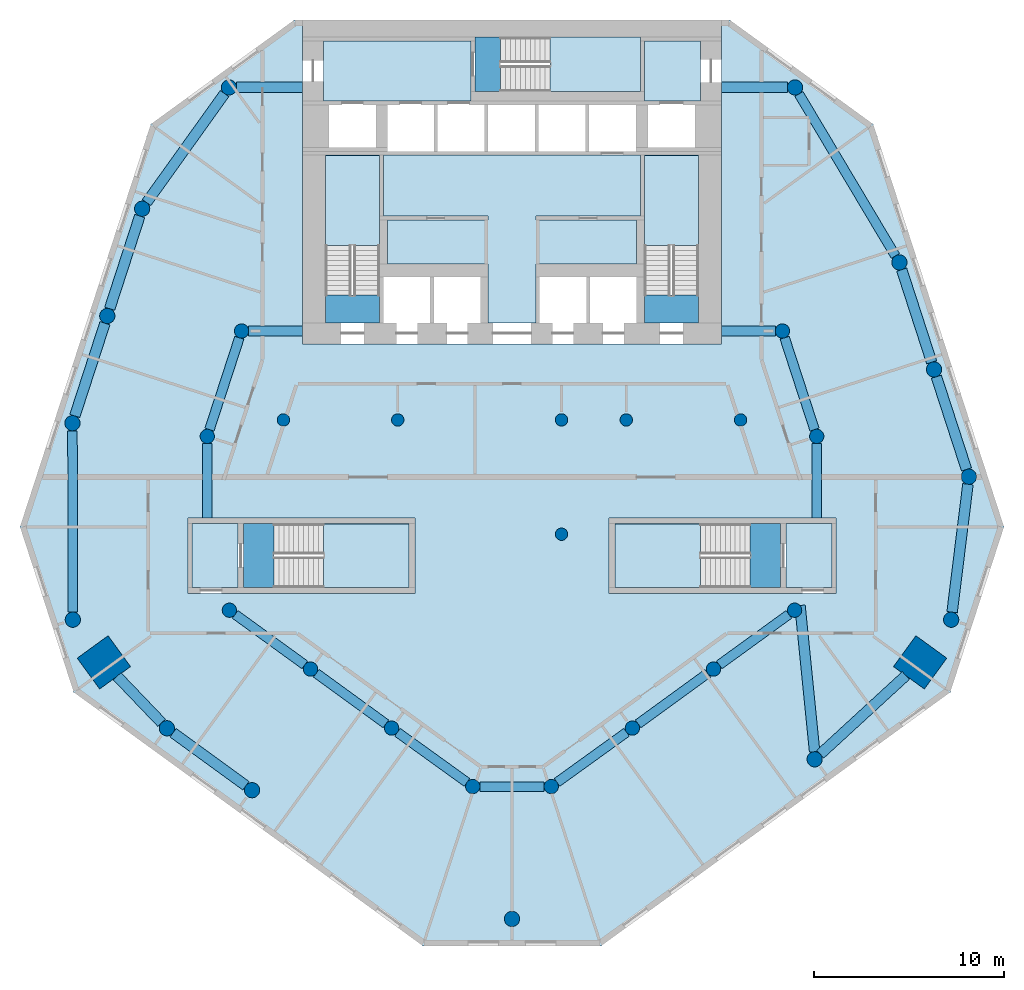
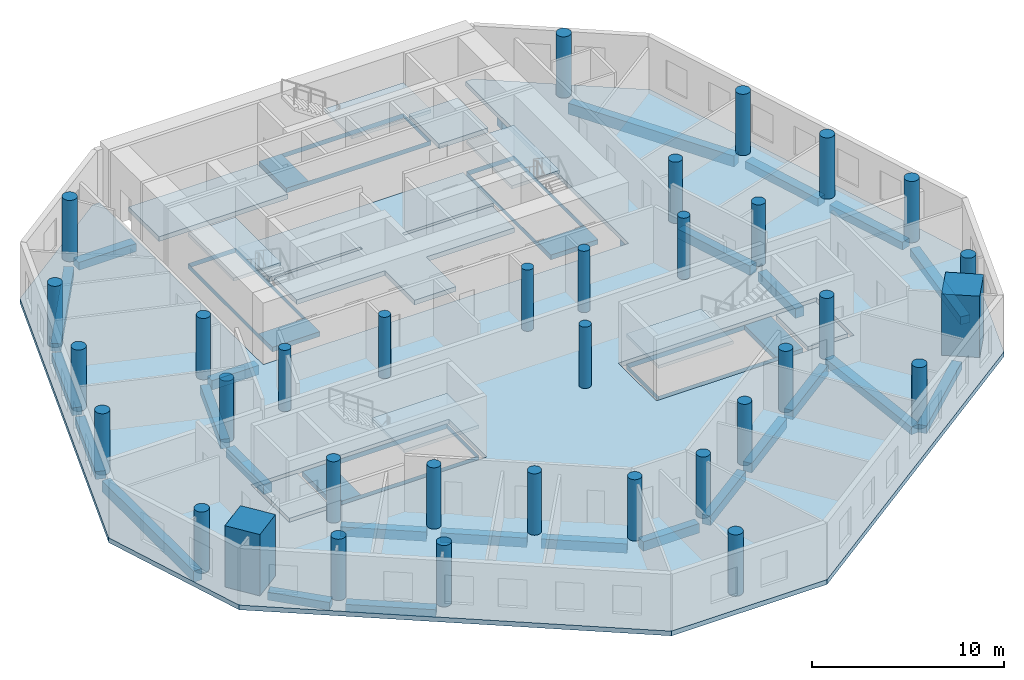
# One storey, part 1 of 9: 34 columns, 27 beams, 16 slabs, 5 elements without a shape of their own.
"""IFC4 building model written with IfcOpenShell, lengths in metres."""

from ifc_helpers import new_model, si_unit, direction, frame, origin, origin_2d, place, context, subcontext, project, spatial, polyline, rectangle, circle, outline, extrude, material, layer, layer_set, material_profile, profile_set, type_object, element, aggregate, save


model = new_model("IFC4")

# Units and contexts
model_context = context("Model", 3, precision=1e-05, world=origin(), true_north=direction((0.0, 1.0)))
body_context = subcontext(model_context, "Body", "Model", "MODEL_VIEW")
ifc_project = project(units=[si_unit("LENGTHUNIT", "METRE"), si_unit("AREAUNIT", "SQUARE_METRE"), si_unit("VOLUMEUNIT", "CUBIC_METRE"), si_unit("PLANEANGLEUNIT", "RADIAN"), si_unit("MASSUNIT", "GRAM", prefix="KILO")], contexts=[model_context])

# Site, building, storey
site_placement = place(None, origin())
site = spatial("IfcSite", under=ifc_project, at=site_placement, CompositionType="ELEMENT")
building_placement = place(site_placement, origin())
building = spatial("IfcBuilding", under=site, at=building_placement, Name="White Candle Pilgrim Tower", CompositionType="ELEMENT")
storey_placement = place(building_placement, frame((0.0, 0.0, 106.39990234375)))
storey = spatial("IfcBuildingStorey", under=building, at=storey_placement, Name="L23", CompositionType="ELEMENT", Elevation=106.39990234375)

# Columns
ifc_material_1 = material(Name="Concrete C80/95", Category="concrete")
ifc_material_profile_1 = material_profile(ifc_material_1, circle(Radius=0.324951171875, at=origin_2d()), Name="RC-COL D650")
ifc_profile_set_1 = profile_set([ifc_material_profile_1], Name="Concrete C80/95")
column_type_1 = type_object("IfcColumnType", Name="Interior column RC-COL D650 C80/95", PredefinedType="COLUMN", material=ifc_profile_set_1)
for number, where, z_axis, x_axis, name in (
    (1, (58.0, 67.0, 0.0), (0.0, 0.0, 1.0), (1.0, 0.0, 0.0), "L23 column I01"),
    (2, (64.0, 67.0, 0.0), (0.0, 0.0, 1.0), (1.0, 0.0, 0.0), "L23 column I02"),
    (3, (72.60009765625, 61.0, 0.0), (0.0, 0.0, 1.0), (1.0, 0.0, 0.0), "L23 column I03"),
    (4, (72.60009765625, 67.0, 0.0), (0.0, 0.0, 1.0), (1.0, 0.0, 0.0), "L23 column I04"),
    (5, (76.0, 67.0, 0.0), (0.0, 0.0, 1.0), (1.0, 0.0, 0.0), "L23 column I05"),
    (6, (82.0, 67.0, 0.0), (0.0, 0.0, 1.0), (1.0, 0.0, 0.0), "L23 column I06"),
):
    element("IfcColumn", number, at=place(storey_placement, frame(where, z_axis=z_axis, x_axis=x_axis)), inside=storey, type_object=column_type_1, Name=name, PredefinedType="COLUMN", context=body_context, shape_type="SweptSolid", body=[
        extrude(circle(Radius=0.324951171875, at=origin_2d()), origin(), (0.0, 0.0, 1.0), 3.900146484375),
    ])
ifc_material_profile_2 = material_profile(ifc_material_1, rectangle(XDim=2.0, YDim=2.0, at=origin_2d()), Name="RC 2000x2000")
ifc_profile_set_2 = profile_set([ifc_material_profile_2], Name="Concrete C80/95")
column_type_2 = type_object("IfcColumnType", Name="Mega column RC 2000x2000 C80/95", PredefinedType="COLUMN", material=ifc_profile_set_2)
for number, where, z_axis, x_axis, name in (
    (7, (48.570068359375, 54.27001953125, 0.0), (0.0, 0.0, 1.0), (-0.809016994375, -0.587785252292, 0.0), "L23 mega column T02"),
    (8, (91.429931640625, 54.27001953125, 0.0), (0.0, 0.0, 1.0), (0.809016994375, -0.587785252292, 0.0), "L23 mega column T07"),
):
    element("IfcColumn", number, at=place(storey_placement, frame(where, z_axis=z_axis, x_axis=x_axis)), inside=storey, type_object=column_type_2, Name=name, PredefinedType="COLUMN", context=body_context, shape_type="SweptSolid", body=[
        extrude(rectangle(XDim=2.0, YDim=2.0, at=origin_2d()), origin(), (0.0, 0.0, 1.0), 3.900146484375),
    ])
ifc_material_profile_3 = material_profile(ifc_material_1, circle(Radius=0.39990234375, at=origin_2d()), Name="RC-COL D800")
ifc_profile_set_3 = profile_set([ifc_material_profile_3], Name="Concrete C80/95")
column_type_3 = type_object("IfcColumnType", Name="Perimeter column RC-COL D800 C80/95", PredefinedType="COLUMN", material=ifc_profile_set_3)
for number, where, z_axis, x_axis, name in (
    (9, (46.93994140625, 56.510009765625, 0.0), (0.0, 0.0, 1.0), (1.0, 0.0, 0.0), "L23 column T01"),
    (10, (51.8798828125, 50.81005859375, 0.0), (0.0, 0.0, 1.0), (1.0, 0.0, 0.0), "L23 column T03"),
    (11, (56.35009765625, 47.56005859375, 0.0), (0.0, 0.0, 1.0), (1.0, 0.0, 0.0), "L23 column T04"),
    (12, (70.0, 40.800048828125, 0.0), (0.0, 0.0, 1.0), (1.0, 0.0, 0.0), "L23 column T05"),
    (13, (85.889892578125, 49.179931640625, 0.0), (0.0, 0.0, 1.0), (1.0, 0.0, 0.0), "L23 column T06"),
    (14, (93.06005859375, 56.510009765625, 0.0), (0.0, 0.0, 1.0), (1.0, 0.0, 0.0), "L23 column T08"),
    (15, (93.989990234375, 64.02001953125, 0.0), (0.0, 0.0, 1.0), (1.0, 0.0, 0.0), "L23 column T09"),
    (16, (92.159912109375, 69.64990234375, 0.0), (0.0, 0.0, 1.0), (1.0, 0.0, 0.0), "L23 column T10"),
    (17, (90.340087890625, 75.27001953125, 0.0), (0.0, 0.0, 1.0), (1.0, 0.0, 0.0), "L23 column T11"),
    (18, (84.860107421875, 84.4599609375, 0.0), (0.0, 0.0, 1.0), (1.0, 0.0, 0.0), "L23 column T12"),
    (19, (55.139892578125, 84.4599609375, 0.0), (0.0, 0.0, 1.0), (1.0, 0.0, 0.0), "L23 column T13"),
    (20, (50.580078125, 78.090087890625, 0.0), (0.0, 0.0, 1.0), (1.0, 0.0, 0.0), "L23 column T14"),
    (21, (48.75, 72.4599609375, 0.0), (0.0, 0.0, 1.0), (1.0, 0.0, 0.0), "L23 column T15"),
    (22, (46.919921875, 66.830078125, 0.0), (0.0, 0.0, 1.0), (1.0, 0.0, 0.0), "L23 column T16"),
):
    element("IfcColumn", number, at=place(storey_placement, frame(where, z_axis=z_axis, x_axis=x_axis)), inside=storey, type_object=column_type_3, Name=name, PredefinedType="COLUMN", context=body_context, shape_type="SweptSolid", body=[
        extrude(circle(Radius=0.39990234375, at=origin_2d()), origin(), (0.0, 0.0, 1.0), 3.900146484375),
    ])
ifc_material_profile_4 = material_profile(ifc_material_1, circle(Radius=0.375, at=origin_2d()), Name="RC-COL D750")
ifc_profile_set_4 = profile_set([ifc_material_profile_4], Name="Concrete C80/95")
column_type_4 = type_object("IfcColumnType", Name="Ring column RC-COL D750 C80/95", PredefinedType="COLUMN", material=ifc_profile_set_4)
for number, where, z_axis, x_axis, name in (
    (23, (55.159912109375, 57.010009765625, 0.0), (0.0, 0.0, 1.0), (1.0, 0.0, 0.0), "L23 column R01"),
    (24, (59.419921875, 53.919921875, 0.0), (0.0, 0.0, 1.0), (1.0, 0.0, 0.0), "L23 column R02"),
    (25, (63.679931640625, 50.820068359375, 0.0), (0.0, 0.0, 1.0), (1.0, 0.0, 0.0), "L23 column R03"),
    (26, (67.93994140625, 47.75, 0.0), (0.0, 0.0, 1.0), (1.0, 0.0, 0.0), "L23 column R04"),
    (27, (72.06005859375, 47.75, 0.0), (0.0, 0.0, 1.0), (1.0, 0.0, 0.0), "L23 column R05"),
    (28, (76.320068359375, 50.820068359375, 0.0), (0.0, 0.0, 1.0), (1.0, 0.0, 0.0), "L23 column R06"),
    (29, (80.580078125, 53.919921875, 0.0), (0.0, 0.0, 1.0), (1.0, 0.0, 0.0), "L23 column R07"),
    (30, (84.840087890625, 57.010009765625, 0.0), (0.0, 0.0, 1.0), (1.0, 0.0, 0.0), "L23 column R08"),
    (31, (86.0, 66.139892578125, 0.0), (0.0, 0.0, 1.0), (1.0, 0.0, 0.0), "L23 column R09"),
    (32, (84.199951171875, 71.669921875, 0.0), (0.0, 0.0, 1.0), (1.0, 0.0, 0.0), "L23 column R10"),
    (33, (55.800048828125, 71.669921875, 0.0), (0.0, 0.0, 1.0), (1.0, 0.0, 0.0), "L23 column R11"),
    (34, (54.0, 66.139892578125, 0.0), (0.0, 0.0, 1.0), (1.0, 0.0, 0.0), "L23 column R12"),
):
    element("IfcColumn", number, at=place(storey_placement, frame(where, z_axis=z_axis, x_axis=x_axis)), inside=storey, type_object=column_type_4, Name=name, PredefinedType="COLUMN", context=body_context, shape_type="SweptSolid", body=[
        extrude(circle(Radius=0.375, at=origin_2d()), origin(), (0.0, 0.0, 1.0), 3.900146484375),
    ])

# Beams
ifc_material_2 = material(Name="Concrete C50/60", Category="concrete")
ifc_material_profile_5 = material_profile(ifc_material_2, rectangle(XDim=0.5, YDim=0.60009765625, at=origin_2d()), Name="RC-BM 500x600")
ifc_profile_set_5 = profile_set([ifc_material_profile_5], Name="Concrete C50/60")
beam_type_1 = type_object("IfcBeamType", Name="Ring beam RC-BM 500x600 C50/60", PredefinedType="BEAM", material=ifc_profile_set_5)
beam_1_placement = place(storey_placement, frame((55.46337890625, 56.789794921875, -0.599853515625), z_axis=(0.809505029053, -0.587112943084, 0.0), x_axis=(0.587112943084, 0.809505029053, 0.0)))
element("IfcBeam", 35, at=beam_1_placement, inside=storey, type_object=beam_type_1, Name="L23 ring beam R01", PredefinedType="BEAM", context=body_context, shape_type="SweptSolid", body=[
    extrude(rectangle(XDim=0.5, YDim=0.60009765625, at=origin_2d()), origin(), (0.0, 0.0, 1.0), 4.512939453125),
])
beam_2_placement = place(storey_placement, frame((59.72314453125, 53.699462890625, -0.599853515625), z_axis=(0.808565500751, -0.588406178583, 0.0), x_axis=(0.588406178583, 0.808565500751, 0.0)))
element("IfcBeam", 36, at=beam_2_placement, inside=storey, type_object=beam_type_1, Name="L23 ring beam R02", PredefinedType="BEAM", context=body_context, shape_type="SweptSolid", body=[
    extrude(rectangle(XDim=0.5, YDim=0.60009765625, at=origin_2d()), origin(), (0.0, 0.0, 1.0), 4.518798828125),
])
beam_3_placement = place(storey_placement, frame((63.984130859375, 50.600830078125, -0.599853515625), z_axis=(0.811270905805, -0.584670434856, 0.0), x_axis=(0.584670434856, 0.811270905805, 0.0)))
element("IfcBeam", 37, at=beam_3_placement, inside=storey, type_object=beam_type_1, Name="L23 ring beam R03", PredefinedType="BEAM", context=body_context, shape_type="SweptSolid", body=[
    extrude(rectangle(XDim=0.5, YDim=0.60009765625, at=origin_2d()), origin(), (0.0, 0.0, 1.0), 4.50146484375),
])
beam_4_placement = place(storey_placement, frame((68.31494140625, 47.75, -0.599853515625), z_axis=(1.0, 0.0, 0.0), x_axis=(0.0, 1.0, 0.0)))
element("IfcBeam", 38, at=beam_4_placement, inside=storey, type_object=beam_type_1, Name="L23 ring beam R04", PredefinedType="BEAM", context=body_context, shape_type="SweptSolid", body=[
    extrude(rectangle(XDim=0.5, YDim=0.60009765625, at=origin_2d()), origin(), (0.0, 0.0, 1.0), 3.3701171875),
])
beam_5_placement = place(storey_placement, frame((72.364013671875, 47.968994140625, -0.599853515625), z_axis=(0.811270905805, 0.584670434856, 0.0), x_axis=(-0.584670434856, 0.811270905805, 0.0)))
element("IfcBeam", 39, at=beam_5_placement, inside=storey, type_object=beam_type_1, Name="L23 ring beam R05", PredefinedType="BEAM", context=body_context, shape_type="SweptSolid", body=[
    extrude(rectangle(XDim=0.5, YDim=0.60009765625, at=origin_2d()), origin(), (0.0, 0.0, 1.0), 4.50146484375),
])
beam_6_placement = place(storey_placement, frame((76.623046875, 51.04052734375, -0.599853515625), z_axis=(0.808565500751, 0.588406178583, 0.0), x_axis=(-0.588406178583, 0.808565500751, 0.0)))
element("IfcBeam", 40, at=beam_6_placement, inside=storey, type_object=beam_type_1, Name="L23 ring beam R06", PredefinedType="BEAM", context=body_context, shape_type="SweptSolid", body=[
    extrude(rectangle(XDim=0.5, YDim=0.60009765625, at=origin_2d()), origin(), (0.0, 0.0, 1.0), 4.518798828125),
])
beam_7_placement = place(storey_placement, frame((80.88330078125, 54.14013671875, -0.599853515625), z_axis=(0.809505029053, 0.587112943084, 0.0), x_axis=(-0.587112943084, 0.809505029053, 0.0)))
element("IfcBeam", 41, at=beam_7_placement, inside=storey, type_object=beam_type_1, Name="L23 ring beam R07", PredefinedType="BEAM", context=body_context, shape_type="SweptSolid", body=[
    extrude(rectangle(XDim=0.5, YDim=0.60009765625, at=origin_2d()), origin(), (0.0, 0.0, 1.0), 4.512939453125),
])
beam_8_placement = place(storey_placement, frame((86.0, 65.764892578125, -0.599853515625), z_axis=(0.0, -1.0, 0.0), x_axis=(1.0, 0.0, 0.0)))
element("IfcBeam", 42, at=beam_8_placement, inside=storey, type_object=beam_type_1, Name="L23 ring beam R08", PredefinedType="BEAM", context=body_context, shape_type="SweptSolid", body=[
    extrude(rectangle(XDim=0.5, YDim=0.60009765625, at=origin_2d()), origin(), (0.0, 0.0, 1.0), 3.914794921875),
])
beam_9_placement = place(storey_placement, frame((85.884033203125, 66.49658203125, -0.599853515625), z_axis=(-0.309554632353, 0.950881659087, 0.0), x_axis=(-0.950881659087, -0.309554632353, 0.0)))
element("IfcBeam", 43, at=beam_9_placement, inside=storey, type_object=beam_type_1, Name="L23 ring beam R09", PredefinedType="BEAM", context=body_context, shape_type="SweptSolid", body=[
    extrude(rectangle(XDim=0.5, YDim=0.60009765625, at=origin_2d()), origin(), (0.0, 0.0, 1.0), 5.065673828125),
])
for number, where, z_axis, x_axis, name in (
    (44, (83.824951171875, 71.669921875, -0.599853515625), (-1.0, 0.0, 0.0), (0.0, -1.0, 0.0), "L23 ring beam R10"),
    (45, (56.175048828125, 71.669921875, -0.599853515625), (1.0, 0.0, 0.0), (0.0, 1.0, 0.0), "L23 ring beam R11"),
):
    element("IfcBeam", number, at=place(storey_placement, frame(where, z_axis=z_axis, x_axis=x_axis)), inside=storey, type_object=beam_type_1, Name=name, PredefinedType="BEAM", context=body_context, shape_type="SweptSolid", body=[
        extrude(rectangle(XDim=0.5, YDim=0.60009765625, at=origin_2d()), origin(), (0.0, 0.0, 1.0), 2.824951171875),
    ])
beam_10_placement = place(storey_placement, frame((55.68408203125, 71.3134765625, -0.599853515625), z_axis=(-0.309554632353, -0.950881659087, 0.0), x_axis=(0.950881659087, -0.309554632353, 0.0)))
element("IfcBeam", 46, at=beam_10_placement, inside=storey, type_object=beam_type_1, Name="L23 ring beam R12", PredefinedType="BEAM", context=body_context, shape_type="SweptSolid", body=[
    extrude(rectangle(XDim=0.5, YDim=0.60009765625, at=origin_2d()), origin(), (0.0, 0.0, 1.0), 5.065673828125),
])
beam_11_placement = place(storey_placement, frame((54.0, 65.764892578125, -0.599853515625), z_axis=(0.0, -1.0, 0.0), x_axis=(1.0, 0.0, 0.0)))
element("IfcBeam", 47, at=beam_11_placement, inside=storey, type_object=beam_type_1, Name="L23 ring beam R13", PredefinedType="BEAM", context=body_context, shape_type="SweptSolid", body=[
    extrude(rectangle(XDim=0.5, YDim=0.60009765625, at=origin_2d()), origin(), (0.0, 0.0, 1.0), 3.914794921875),
])
ifc_material_profile_6 = material_profile(ifc_material_2, rectangle(XDim=0.5, YDim=0.699951171875, at=origin_2d()), Name="RC-BM 500x700")
ifc_profile_set_6 = profile_set([ifc_material_profile_6], Name="Concrete C50/60")
beam_type_2 = type_object("IfcBeamType", Name="Spandrel beam RC-BM 500x700 C50/60", PredefinedType="BEAM", material=ifc_profile_set_6)
beam_12_placement = place(storey_placement, frame((90.13525390625, 75.61328125, -0.64990234375), z_axis=(-0.51215480768, 0.858893155736, 0.0), x_axis=(-0.858893155736, -0.51215480768, 0.0)))
element("IfcBeam", 48, at=beam_12_placement, inside=storey, type_object=beam_type_2, Name="L23 spandrel beam T08", PredefinedType="BEAM", context=body_context, shape_type="SweptSolid", body=[
    extrude(rectangle(XDim=0.5, YDim=0.699951171875, at=origin_2d()), origin(), (0.0, 0.0, 1.0), 9.900390625),
])
beam_13_placement = place(storey_placement, frame((46.9208984375, 66.429931640625, -0.64990234375), z_axis=(0.001923369269, -0.999998150324, 0.0), x_axis=(0.999998150324, 0.001923369269, 0.0)))
element("IfcBeam", 49, at=beam_13_placement, inside=storey, type_object=beam_type_2, Name="L23 spandrel beam T14", PredefinedType="BEAM", context=body_context, shape_type="SweptSolid", body=[
    extrude(rectangle(XDim=0.5, YDim=0.699951171875, at=origin_2d()), origin(), (0.0, 0.0, 1.0), 9.52001953125),
])
ifc_material_profile_7 = material_profile(ifc_material_2, rectangle(XDim=0.550048828125, YDim=0.5, at=origin_2d()), Name="RC-BM 550x500")
ifc_profile_set_7 = profile_set([ifc_material_profile_7], Name="Concrete C50/60")
beam_type_3 = type_object("IfcBeamType", Name="Spandrel beam RC-BM 550x500 C50/60", PredefinedType="BEAM", material=ifc_profile_set_7)
beam_14_placement = place(storey_placement, frame((49.267578125, 53.540771484375, -0.5498046875), z_axis=(0.6912554522, -0.722610475847, 0.0), x_axis=(0.722610475847, 0.6912554522, 0.0)))
element("IfcBeam", 50, at=beam_14_placement, inside=storey, type_object=beam_type_3, Name="L23 spandrel beam T01", PredefinedType="BEAM", context=body_context, shape_type="SweptSolid", body=[
    extrude(rectangle(XDim=0.550048828125, YDim=0.5, at=origin_2d()), origin(), (0.0, 0.0, 1.0), 3.379150390625),
])
beam_15_placement = place(storey_placement, frame((52.203369140625, 50.574951171875, -0.5498046875), z_axis=(0.808812014489, -0.5880672795, 0.0), x_axis=(0.5880672795, 0.808812014489, 0.0)))
element("IfcBeam", 51, at=beam_15_placement, inside=storey, type_object=beam_type_3, Name="L23 spandrel beam T02", PredefinedType="BEAM", context=body_context, shape_type="SweptSolid", body=[
    extrude(rectangle(XDim=0.550048828125, YDim=0.5, at=origin_2d()), origin(), (0.0, 0.0, 1.0), 4.72705078125),
])
beam_16_placement = place(storey_placement, frame((85.889892578125, 49.580078125, -0.5498046875), z_axis=(-0.099547579937, 0.995032803142, 0.0), x_axis=(-0.995032803142, -0.099547579937, 0.0)))
element("IfcBeam", 52, at=beam_16_placement, inside=storey, type_object=beam_type_3, Name="L23 spandrel beam T03", PredefinedType="BEAM", context=body_context, shape_type="SweptSolid", body=[
    extrude(rectangle(XDim=0.550048828125, YDim=0.5, at=origin_2d()), origin(), (0.0, 0.0, 1.0), 7.715576171875),
])
beam_17_placement = place(storey_placement, frame((86.184326171875, 49.450439453125, -0.5498046875), z_axis=(0.736374917929, 0.67657370644, 0.0), x_axis=(-0.67657370644, 0.736374917929, 0.0)))
element("IfcBeam", 53, at=beam_17_placement, inside=storey, type_object=beam_type_3, Name="L23 spandrel beam T04", PredefinedType="BEAM", context=body_context, shape_type="SweptSolid", body=[
    extrude(rectangle(XDim=0.550048828125, YDim=0.5, at=origin_2d()), origin(), (0.0, 0.0, 1.0), 6.103271484375),
])
beam_18_placement = place(storey_placement, frame((93.109130859375, 56.906982421875, -0.5498046875), z_axis=(0.122911300598, 0.992417660154, 0.0), x_axis=(-0.992417660154, 0.122911300598, 0.0)))
element("IfcBeam", 54, at=beam_18_placement, inside=storey, type_object=beam_type_3, Name="L23 spandrel beam T05", PredefinedType="BEAM", context=body_context, shape_type="SweptSolid", body=[
    extrude(rectangle(XDim=0.550048828125, YDim=0.5, at=origin_2d()), origin(), (0.0, 0.0, 1.0), 6.767333984375),
])
beam_19_placement = place(storey_placement, frame((93.866455078125, 64.400390625, -0.5498046875), z_axis=(-0.309123808161, 0.95102180376, 0.0), x_axis=(-0.95102180376, -0.309123808161, 0.0)))
element("IfcBeam", 55, at=beam_19_placement, inside=storey, type_object=beam_type_3, Name="L23 spandrel beam T06", PredefinedType="BEAM", context=body_context, shape_type="SweptSolid", body=[
    extrude(rectangle(XDim=0.550048828125, YDim=0.5, at=origin_2d()), origin(), (0.0, 0.0, 1.0), 5.1201171875),
])
beam_20_placement = place(storey_placement, frame((92.036865234375, 70.030517578125, -0.5498046875), z_axis=(-0.308114253226, 0.951349361149, 0.0), x_axis=(-0.951349361149, -0.308114253226, 0.0)))
element("IfcBeam", 56, at=beam_20_placement, inside=storey, type_object=beam_type_3, Name="L23 spandrel beam T07", PredefinedType="BEAM", context=body_context, shape_type="SweptSolid", body=[
    extrude(rectangle(XDim=0.550048828125, YDim=0.5, at=origin_2d()), origin(), (0.0, 0.0, 1.0), 5.107666015625),
])
for number, where, z_axis, x_axis, name in (
    (57, (84.4599609375, 84.4599609375, -0.5498046875), (-1.0, 0.0, 0.0), (0.0, -1.0, 0.0), "L23 spandrel beam T09"),
    (58, (55.5400390625, 84.4599609375, -0.5498046875), (1.0, 0.0, 0.0), (0.0, 1.0, 0.0), "L23 spandrel beam T10"),
):
    element("IfcBeam", number, at=place(storey_placement, frame(where, z_axis=z_axis, x_axis=x_axis)), inside=storey, type_object=beam_type_3, Name=name, PredefinedType="BEAM", context=body_context, shape_type="SweptSolid", body=[
        extrude(rectangle(XDim=0.550048828125, YDim=0.5, at=origin_2d()), origin(), (0.0, 0.0, 1.0), 3.4599609375),
    ])
beam_21_placement = place(storey_placement, frame((54.9072265625, 84.135009765625, -0.5498046875), z_axis=(-0.582065224797, -0.813142099563, 0.0), x_axis=(0.813142099563, -0.582065224797, 0.0)))
element("IfcBeam", 59, at=beam_21_placement, inside=storey, type_object=beam_type_3, Name="L23 spandrel beam T11", PredefinedType="BEAM", context=body_context, shape_type="SweptSolid", body=[
    extrude(rectangle(XDim=0.550048828125, YDim=0.5, at=origin_2d()), origin(), (0.0, 0.0, 1.0), 7.034423828125),
])
for number, where, z_axis, x_axis, name in (
    (60, (50.456298828125, 77.709716796875, -0.5498046875), (-0.309123808161, -0.95102180376, 0.0), (0.95102180376, -0.309123808161, 0.0), "L23 spandrel beam T12"),
    (61, (48.62646484375, 72.07958984375, -0.5498046875), (-0.309123808161, -0.95102180376, 0.0), (0.95102180376, -0.309123808161, 0.0), "L23 spandrel beam T13"),
):
    element("IfcBeam", number, at=place(storey_placement, frame(where, z_axis=z_axis, x_axis=x_axis)), inside=storey, type_object=beam_type_3, Name=name, PredefinedType="BEAM", context=body_context, shape_type="SweptSolid", body=[
        extrude(rectangle(XDim=0.550048828125, YDim=0.5, at=origin_2d()), origin(), (0.0, 0.0, 1.0), 5.1201171875),
    ])

# Slabs
ifc_material_3 = material(Name="Concrete C40/50", Category="concrete")
ifc_layer_1 = layer(ifc_material_3, 0.300048828125)
ifc_layer_set_1 = layer_set([ifc_layer_1], Name="Core floor slab 300 mm Concrete C40/50")
slab_type_1 = type_object("IfcSlabType", Name="Core floor slab 300 mm Concrete C40/50", PredefinedType="FLOOR", material=ifc_layer_set_1)
slab_1_placement = place(storey_placement, frame((0.0, 0.0, -0.2998046875)))
element("IfcSlab", 62, at=slab_1_placement, inside=storey, type_object=slab_type_1, Name="CF-L23-01", PredefinedType="FLOOR", context=body_context, shape_type="SweptSolid", body=[
    extrude(outline(polyline([(55.60009765625, 58.199951171875), (53.199951171875, 58.199951171875), (53.199951171875, 61.550048828125), (55.60009765625, 61.550048828125), (55.60009765625, 58.199951171875)])), origin(), (0.0, 0.0, 1.0), 0.2998046875),
])
slab_2_placement = place(storey_placement, frame((0.0, 0.0, -0.2998046875)))
element("IfcSlab", 63, at=slab_2_placement, inside=storey, type_object=slab_type_1, Name="CF-L23-02", PredefinedType="FLOOR", context=body_context, shape_type="SweptSolid", body=[
    extrude(outline(polyline([(55.89990234375, 58.199951171875), (55.89990234375, 61.550048828125), (64.60009765625, 61.550048828125), (64.60009765625, 58.199951171875), (55.89990234375, 58.199951171875)]), holes=[polyline([(57.501953125, 61.548095703125), (57.501953125, 58.201904296875), (64.597900390625, 58.201904296875), (64.597900390625, 61.548095703125), (57.501953125, 61.548095703125)])]), origin(), (0.0, 0.0, 1.0), 0.2998046875),
])
slab_3_placement = place(storey_placement, frame((0.0, 0.0, -0.2998046875)))
element("IfcSlab", 64, at=slab_3_placement, inside=storey, type_object=slab_type_1, Name="CF-L23-03", PredefinedType="FLOOR", context=body_context, shape_type="SweptSolid", body=[
    extrude(outline(polyline([(75.39990234375, 58.199951171875), (75.39990234375, 61.550048828125), (84.10009765625, 61.550048828125), (84.10009765625, 58.199951171875), (75.39990234375, 58.199951171875)]), holes=[polyline([(82.498046875, 58.201904296875), (82.498046875, 61.548095703125), (75.402099609375, 61.548095703125), (75.402099609375, 58.201904296875), (82.498046875, 58.201904296875)])]), origin(), (0.0, 0.0, 1.0), 0.2998046875),
])
slab_4_placement = place(storey_placement, frame((0.0, 0.0, -0.2998046875)))
element("IfcSlab", 65, at=slab_4_placement, inside=storey, type_object=slab_type_1, Name="CF-L23-04", PredefinedType="FLOOR", context=body_context, shape_type="SweptSolid", body=[
    extrude(outline(polyline([(86.800048828125, 58.199951171875), (84.39990234375, 58.199951171875), (84.39990234375, 61.550048828125), (86.800048828125, 61.550048828125), (86.800048828125, 58.199951171875)])), origin(), (0.0, 0.0, 1.0), 0.2998046875),
])
slab_5_placement = place(storey_placement, frame((0.0, 0.0, -0.2998046875)))
element("IfcSlab", 66, at=slab_5_placement, inside=storey, type_object=slab_type_1, Name="CF-L23-05", PredefinedType="FLOOR", context=body_context, shape_type="SweptSolid", body=[
    extrude(outline(polyline([(76.75, 87.10009765625), (76.75, 86.89990234375), (76.75, 84.25), (68.050048828125, 84.25), (68.050048828125, 86.89990234375), (68.050048828125, 87.10009765625), (76.75, 87.10009765625)]), holes=[polyline([(69.402099609375, 87.097900390625), (69.402099609375, 84.251953125), (76.748046875, 84.251953125), (76.748046875, 87.097900390625), (69.402099609375, 87.097900390625)])]), origin(), (0.0, 0.0, 1.0), 0.2998046875),
])
slab_6_placement = place(storey_placement, frame((0.0, 0.0, -0.2998046875)))
element("IfcSlab", 67, at=slab_6_placement, inside=storey, type_object=slab_type_1, Name="CF-L23-06", PredefinedType="FLOOR", context=body_context, shape_type="SweptSolid", body=[
    extrude(outline(polyline([(79.89990234375, 86.89990234375), (79.89990234375, 83.75), (76.949951171875, 83.75), (76.949951171875, 84.25), (76.949951171875, 86.89990234375), (79.89990234375, 86.89990234375)])), origin(), (0.0, 0.0, 1.0), 0.2998046875),
])
slab_7_placement = place(storey_placement, frame((0.0, 0.0, -0.2998046875)))
element("IfcSlab", 68, at=slab_7_placement, inside=storey, type_object=slab_type_1, Name="CF-L23-07", PredefinedType="FLOOR", context=body_context, shape_type="SweptSolid", body=[
    extrude(outline(polyline([(76.949951171875, 72.10009765625), (76.949951171875, 74.5), (76.949951171875, 75.199951171875), (76.949951171875, 77.5), (76.949951171875, 77.699951171875), (76.949951171875, 80.89990234375), (79.800048828125, 80.89990234375), (79.800048828125, 72.10009765625), (76.949951171875, 72.10009765625)]), holes=[polyline([(76.951904296875, 73.552001953125), (79.798095703125, 73.552001953125), (79.798095703125, 80.89794921875), (76.951904296875, 80.89794921875), (76.951904296875, 73.552001953125)])]), origin(), (0.0, 0.0, 1.0), 0.2998046875),
])
slab_8_placement = place(storey_placement, frame((0.0, 0.0, -0.2998046875)))
element("IfcSlab", 69, at=slab_8_placement, inside=storey, type_object=slab_type_1, Name="CF-L23-08", PredefinedType="FLOOR", context=body_context, shape_type="SweptSolid", body=[
    extrude(outline(polyline([(68.75, 72.10009765625), (68.75, 74.5), (68.75, 75.199951171875), (63.449951171875, 75.199951171875), (63.449951171875, 77.5), (68.75, 77.5), (68.75, 77.699951171875), (63.25, 77.699951171875), (63.25, 80.89990234375), (76.75, 80.89990234375), (76.75, 77.699951171875), (71.25, 77.699951171875), (71.25, 77.5), (76.550048828125, 77.5), (76.550048828125, 75.199951171875), (71.25, 75.199951171875), (71.25, 74.5), (71.25, 72.10009765625), (68.75, 72.10009765625)])), origin(), (0.0, 0.0, 1.0), 0.2998046875),
])
slab_9_placement = place(storey_placement, frame((0.0, 0.0, -0.2998046875)))
element("IfcSlab", 70, at=slab_9_placement, inside=storey, type_object=slab_type_1, Name="CF-L23-09", PredefinedType="FLOOR", context=body_context, shape_type="SweptSolid", body=[
    extrude(outline(polyline([(60.199951171875, 72.10009765625), (60.199951171875, 80.89990234375), (63.050048828125, 80.89990234375), (63.050048828125, 77.699951171875), (63.050048828125, 77.5), (63.050048828125, 75.199951171875), (63.050048828125, 74.5), (63.050048828125, 72.10009765625), (60.199951171875, 72.10009765625)]), holes=[polyline([(60.201904296875, 73.552001953125), (63.048095703125, 73.552001953125), (63.048095703125, 80.89794921875), (60.201904296875, 80.89794921875), (60.201904296875, 73.552001953125)])]), origin(), (0.0, 0.0, 1.0), 0.2998046875),
])
slab_10_placement = place(storey_placement, frame((0.0, 0.0, -0.2998046875)))
element("IfcSlab", 71, at=slab_10_placement, inside=storey, type_object=slab_type_1, Name="CF-L23-10", PredefinedType="FLOOR", context=body_context, shape_type="SweptSolid", body=[
    extrude(outline(polyline([(60.10009765625, 86.89990234375), (67.85009765625, 86.89990234375), (67.85009765625, 84.25), (67.85009765625, 83.75), (60.10009765625, 83.75), (60.10009765625, 86.89990234375)])), origin(), (0.0, 0.0, 1.0), 0.2998046875),
])
ifc_layer_2 = layer(ifc_material_3, 0.300048828125)
ifc_layer_set_2 = layer_set([ifc_layer_2], Name="Floor slab 300 REI 120")
slab_type_2 = type_object("IfcSlabType", Name="Floor slab 300 REI 120", PredefinedType="FLOOR", material=ifc_layer_set_2)
slab_11_placement = place(storey_placement, frame((0.0, 0.0, -0.2998046875)))
element("IfcSlab", 72, at=slab_11_placement, inside=storey, type_object=slab_type_2, Name="L23 floor slab", PredefinedType="FLOOR", context=body_context, shape_type="SweptSolid", body=[
    extrude(outline(polyline([(65.31689453125, 39.385009765625), (74.68310546875, 39.385009765625), (93.011962890625, 52.701904296875), (95.833740234375, 61.38671875), (88.96337890625, 82.53173828125), (81.43701171875, 88.0), (81.0, 88.0), (81.0, 71.0), (59.0, 71.0), (59.0, 88.0), (58.56298828125, 88.0), (51.03662109375, 82.53173828125), (44.166259765625, 61.38671875), (46.98828125, 52.701904296875), (65.31689453125, 39.385009765625)]), holes=[polyline([(53.0, 57.89990234375), (53.0, 61.85009765625), (64.89990234375, 61.85009765625), (64.89990234375, 57.89990234375), (53.0, 57.89990234375)]), polyline([(75.10009765625, 57.89990234375), (75.10009765625, 61.85009765625), (87.0, 61.85009765625), (87.0, 57.89990234375), (75.10009765625, 57.89990234375)])]), origin(), (0.0, 0.0, 1.0), 0.2998046875),
])

# Stair, slab
stair_type_1 = type_object("IfcStairType", Name="Exit stair 1 flight width 1350 mm", PredefinedType="HALF_TURN_STAIR", material=ifc_material_3)
stair_1_placement = place(storey_placement, origin())
stair_1 = element("IfcStair", 73, at=stair_1_placement, inside=storey, type_object=stair_type_1, Name="L23 stair 1", PredefinedType="NOTDEFINED")
ifc_layer_3 = layer(ifc_material_3, 0.199951171875)
ifc_layer_set_3 = layer_set([ifc_layer_3], Name="Stair landing Concrete C40/50")
slab_type_3 = type_object("IfcSlabType", Name="Stair landing Concrete C40/50", PredefinedType="LANDING", material=ifc_layer_set_3)
slab_12_placement = place(storey_placement, frame((0.0, 0.0, 1.75)))
slab_12 = element("IfcSlab", 74, at=slab_12_placement, type_object=slab_type_3, Name="ST1 landing 1", PredefinedType="LANDING", context=body_context, shape_type="SweptSolid", body=[
    extrude(outline(polyline([(63.052001953125, 76.14794921875), (60.197998046875, 76.14794921875), (60.197998046875, 80.902099609375), (63.052001953125, 80.902099609375), (63.052001953125, 76.14794921875)])), origin(), (0.0, 0.0, 1.0), 0.2001953125),
])
aggregate(stair_1, [slab_12])

stair_type_2 = type_object("IfcStairType", Name="Exit stair 2 flight width 1350 mm", PredefinedType="HALF_TURN_STAIR", material=ifc_material_3)
stair_2_placement = place(storey_placement, origin())
stair_2 = element("IfcStair", 75, at=stair_2_placement, inside=storey, type_object=stair_type_2, Name="L23 stair 2", PredefinedType="NOTDEFINED")
slab_13_placement = place(storey_placement, frame((0.0, 0.0, 1.75)))
slab_13 = element("IfcSlab", 76, at=slab_13_placement, type_object=slab_type_3, Name="ST2 landing 1", PredefinedType="LANDING", context=body_context, shape_type="SweptSolid", body=[
    extrude(outline(polyline([(79.802001953125, 76.14794921875), (76.947998046875, 76.14794921875), (76.947998046875, 80.902099609375), (79.802001953125, 80.902099609375), (79.802001953125, 76.14794921875)])), origin(), (0.0, 0.0, 1.0), 0.2001953125),
])
aggregate(stair_2, [slab_13])

stair_type_3 = type_object("IfcStairType", Name="Exit stair 3 flight width 1350 mm", PredefinedType="HALF_TURN_STAIR", material=ifc_material_3)
stair_3_placement = place(storey_placement, origin())
stair_3 = element("IfcStair", 77, at=stair_3_placement, inside=storey, type_object=stair_type_3, Name="L23 stair 3", PredefinedType="NOTDEFINED")
slab_14_placement = place(storey_placement, frame((0.0, 0.0, 1.75)))
slab_14 = element("IfcSlab", 78, at=slab_14_placement, type_object=slab_type_3, Name="ST3 landing 1", PredefinedType="LANDING", context=body_context, shape_type="SweptSolid", body=[
    extrude(outline(polyline([(71.998046875, 84.248046875), (71.998046875, 87.10205078125), (76.751953125, 87.10205078125), (76.751953125, 84.248046875), (71.998046875, 84.248046875)])), origin(), (0.0, 0.0, 1.0), 0.2001953125),
])
aggregate(stair_3, [slab_14])

stair_type_4 = type_object("IfcStairType", Name="Exit stair 4 flight width 1600 mm", PredefinedType="HALF_TURN_STAIR", material=ifc_material_3)
stair_4_placement = place(storey_placement, origin())
stair_4 = element("IfcStair", 79, at=stair_4_placement, inside=storey, type_object=stair_type_4, Name="L23 stair 4", PredefinedType="NOTDEFINED")
slab_15_placement = place(storey_placement, frame((0.0, 0.0, 1.75)))
slab_15 = element("IfcSlab", 80, at=slab_15_placement, type_object=slab_type_3, Name="ST4 landing 1", PredefinedType="LANDING", context=body_context, shape_type="SweptSolid", body=[
    extrude(outline(polyline([(79.902099609375, 61.552001953125), (79.902099609375, 58.197998046875), (75.39794921875, 58.197998046875), (75.39794921875, 61.552001953125), (79.902099609375, 61.552001953125)])), origin(), (0.0, 0.0, 1.0), 0.2001953125),
])
aggregate(stair_4, [slab_15])

stair_type_5 = type_object("IfcStairType", Name="Exit stair 5 flight width 1600 mm", PredefinedType="HALF_TURN_STAIR", material=ifc_material_3)
stair_5_placement = place(storey_placement, origin())
stair_5 = element("IfcStair", 81, at=stair_5_placement, inside=storey, type_object=stair_type_5, Name="L23 stair 5", PredefinedType="NOTDEFINED")
slab_16_placement = place(storey_placement, frame((0.0, 0.0, 1.75)))
slab_16 = element("IfcSlab", 82, at=slab_16_placement, type_object=slab_type_3, Name="ST5 landing 1", PredefinedType="LANDING", context=body_context, shape_type="SweptSolid", body=[
    extrude(outline(polyline([(60.097900390625, 58.197998046875), (60.097900390625, 61.552001953125), (64.60205078125, 61.552001953125), (64.60205078125, 58.197998046875), (60.097900390625, 58.197998046875)])), origin(), (0.0, 0.0, 1.0), 0.2001953125),
])
aggregate(stair_5, [slab_16])

save(model, "model.ifc")
